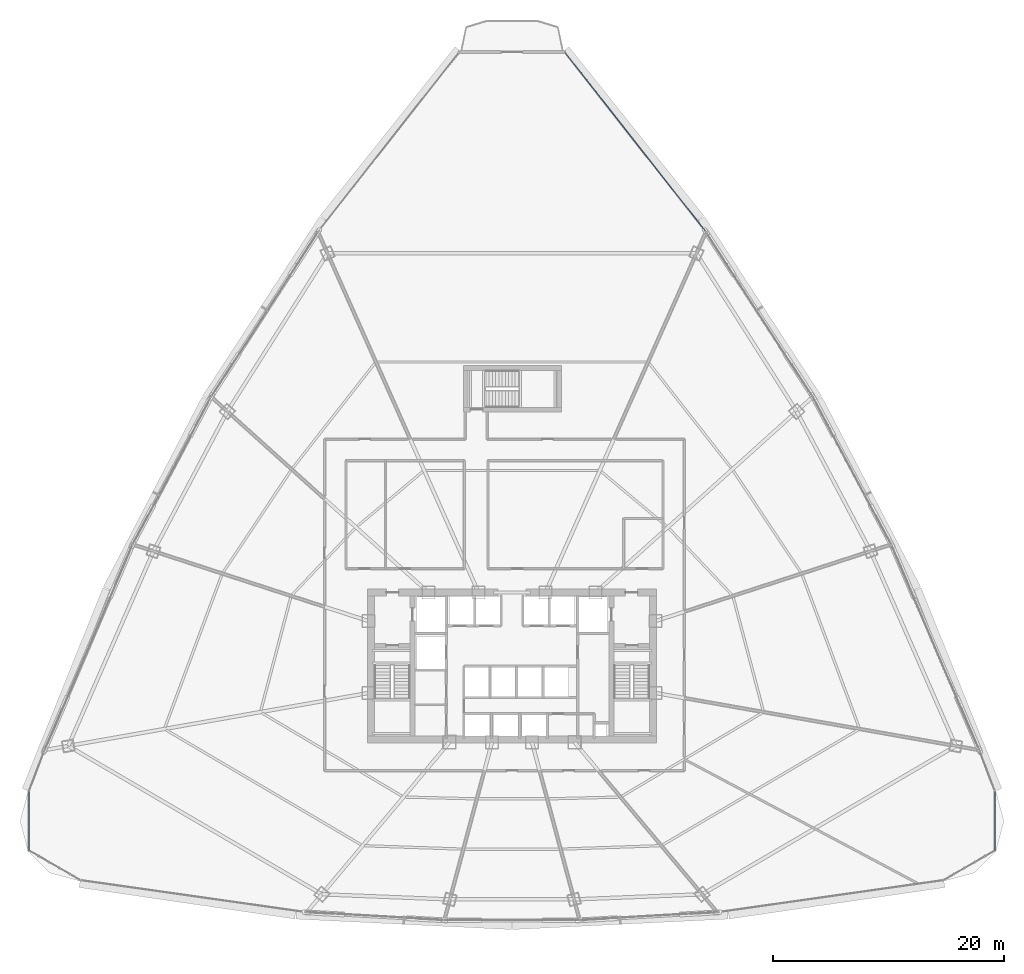
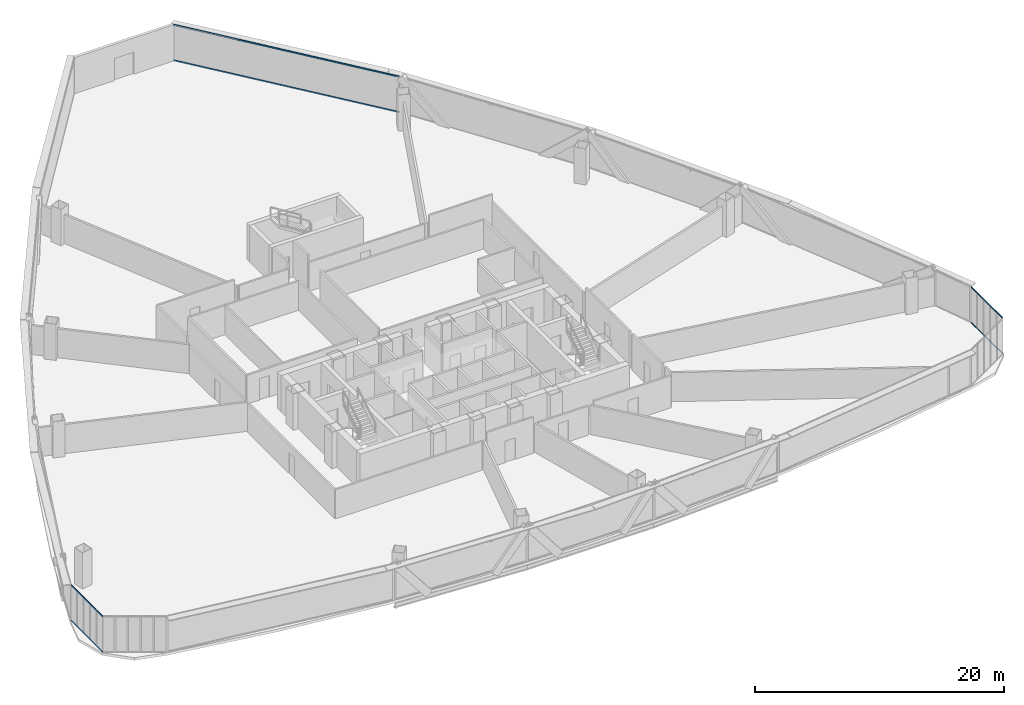
# One storey, part 27 of 39: 22 members, 3 elements without a shape of their own.
"""IFC4 building model written with IfcOpenShell, lengths in metres."""

from ifc_helpers import new_model, si_unit, direction, frame, origin, origin_2d, place, context, subcontext, project, spatial, hollow_rectangle, extrude, source, transform, mapped, material, layer, layer_set, material_profile, profile_set, type_object, element, aggregate, save


model = new_model("IFC4")

# Units and contexts
model_context = context("Model", 3, precision=1e-05, world=origin(), true_north=direction((0.0, 1.0)))
body_context = subcontext(model_context, "Body", "Model", "MODEL_VIEW")
ifc_project = project(units=[si_unit("LENGTHUNIT", "METRE"), si_unit("AREAUNIT", "SQUARE_METRE"), si_unit("VOLUMEUNIT", "CUBIC_METRE"), si_unit("PLANEANGLEUNIT", "RADIAN"), si_unit("MASSUNIT", "GRAM", prefix="KILO"), si_unit("THERMODYNAMICTEMPERATUREUNIT", "KELVIN"), si_unit("POWERUNIT", "WATT")], contexts=[model_context])

# Site, building, storey
site_placement = place(None, origin())
site = spatial("IfcSite", under=ifc_project, at=site_placement, CompositionType="ELEMENT")
building_placement = place(site_placement, origin())
building = spatial("IfcBuilding", under=site, at=building_placement, Name="Yunzhuo Pagoda Commons", CompositionType="ELEMENT")
storey_placement = place(building_placement, frame((0.0, 0.0, 92.580078125)))
storey = spatial("IfcBuildingStorey", under=building, at=storey_placement, Name="L23", CompositionType="ELEMENT", Elevation=92.580078125)

# Curtain wall, members
ifc_material = material(Name="Anodized aluminium 6063-T6", Category="aluminium")
ifc_layer_1 = layer(ifc_material, 0.1650390625)
ifc_layer_set_1 = layer_set([ifc_layer_1], Name="Anodized aluminium 6063-T6")
curtain_wall_type_1 = type_object("IfcCurtainWallType", Name="CW-LOW Low-Zone Ribbon Curtain Wall", PredefinedType="NOTDEFINED", material=ifc_layer_set_1)
curtain_wall_1_placement = place(storey_placement, origin())
curtain_wall_1 = element("IfcCurtainWall", 1, at=curtain_wall_1_placement, inside=storey, type_object=curtain_wall_type_1, Name="L23 curtain wall CW-L23-F2B5", PredefinedType="NOTDEFINED")
ifc_material_profile_1 = material_profile(ifc_material, hollow_rectangle(XDim=0.06005859375, YDim=0.139892578125, WallThickness=0.00341796875, at=origin_2d()), Name="Anodized aluminium 6063-T6")
ifc_profile_set_1 = profile_set([ifc_material_profile_1], Name="Anodized aluminium 6063-T6")
member_type_1 = type_object("IfcMemberType", Name="CW-LOW-T Transom RHS 140x60x3.5", PredefinedType="USERDEFINED", material=ifc_profile_set_1)
shared_shape_1 = source(origin(), body_context, "Body", "SweptSolid", [
    extrude(hollow_rectangle(XDim=0.06005859375, YDim=0.139892578125, WallThickness=0.00341796875, at=origin_2d()), origin(), (0.0, 0.0, 1.0), 19.558349609375),
])
member_1_placement = place(storey_placement, frame((64.683837890625, 71.476806640625, 0.030029296875), z_axis=(-0.617957159447, 0.786211771146, 0.0), x_axis=(-0.786211771146, -0.617957159447, 0.0)))
member_1 = element("IfcMember", 2, at=member_1_placement, type_object=member_type_1, Name="CW transom 1.1", ObjectType="TRANSOM", PredefinedType="USERDEFINED", context=body_context, shape_type="MappedRepresentation", body=[
    mapped(shared_shape_1, transform((0.0, 0.0, 0.0), scale=1.0)),
])
member_2_placement = place(storey_placement, frame((64.683837890625, 71.476806640625, 3.510009765625), z_axis=(-0.617957159447, 0.786211771146, 0.0), x_axis=(-0.786211771146, -0.617957159447, 0.0)))
member_2 = element("IfcMember", 3, at=member_2_placement, type_object=member_type_1, Name="CW transom 1.2", ObjectType="TRANSOM", PredefinedType="USERDEFINED", context=body_context, shape_type="MappedRepresentation", body=[
    mapped(shared_shape_1, transform((0.0, 0.0, 0.0), scale=1.0)),
])
aggregate(curtain_wall_1, [member_1, member_2])

ifc_layer_2 = layer(ifc_material, 0.1298828125)
ifc_layer_set_2 = layer_set([ifc_layer_2], Name="Anodized aluminium 6063-T6")
curtain_wall_type_2 = type_object("IfcCurtainWallType", Name="CW-VTX Rounded Corner Curtain Wall", PredefinedType="NOTDEFINED", material=ifc_layer_set_2)
curtain_wall_2_placement = place(storey_placement, origin())
curtain_wall_2 = element("IfcCurtainWall", 4, at=curtain_wall_2_placement, inside=storey, type_object=curtain_wall_type_2, Name="L23 curtain wall CW-L23-VTX1S1", PredefinedType="NOTDEFINED")
ifc_material_profile_2 = material_profile(ifc_material, hollow_rectangle(XDim=0.054931640625, YDim=0.1201171875, WallThickness=0.00341796875, at=origin_2d()), Name="Anodized aluminium 6063-T6")
ifc_profile_set_2 = profile_set([ifc_material_profile_2], Name="Anodized aluminium 6063-T6")
member_type_2 = type_object("IfcMemberType", Name="CW-VTX-T Transom RHS 120x55x3.5", PredefinedType="USERDEFINED", material=ifc_profile_set_2)
shared_shape_2 = source(origin(), body_context, "Body", "SweptSolid", [
    extrude(hollow_rectangle(XDim=0.054931640625, YDim=0.1201171875, WallThickness=0.00341796875, at=origin_2d()), origin(), (0.0, 0.0, 1.0), 0.953125),
])
member_3_placement = place(storey_placement, frame((6.257080078125, 22.977294921875, 0.02734375), z_axis=(-0.003586042516, -0.999993570129, 0.0), x_axis=(0.999993570129, -0.003586042516, 0.0)))
member_3 = element("IfcMember", 5, at=member_3_placement, type_object=member_type_2, Name="CW transom 1.1", ObjectType="TRANSOM", PredefinedType="USERDEFINED", context=body_context, shape_type="MappedRepresentation", body=[
    mapped(shared_shape_2, transform((0.0, 0.0, 0.0), scale=1.0)),
])
member_4_placement = place(storey_placement, frame((6.257080078125, 22.977294921875, 3.512451171875), z_axis=(-0.003586042516, -0.999993570129, 0.0), x_axis=(0.999993570129, -0.003586042516, 0.0)))
member_4 = element("IfcMember", 6, at=member_4_placement, type_object=member_type_2, Name="CW transom 1.2", ObjectType="TRANSOM", PredefinedType="USERDEFINED", context=body_context, shape_type="MappedRepresentation", body=[
    mapped(shared_shape_2, transform((0.0, 0.0, 0.0), scale=1.0)),
])

curtain_wall_3_placement = place(storey_placement, origin())
curtain_wall_3 = element("IfcCurtainWall", 7, at=curtain_wall_3_placement, inside=storey, type_object=curtain_wall_type_2, Name="L23 curtain wall CW-L23-VTX2S2", PredefinedType="NOTDEFINED")
member_5_placement = place(storey_placement, frame((89.746337890625, 22.024169921875, 0.02734375), z_axis=(-0.003586042516, 0.999993570129, 0.0), x_axis=(-0.999993570129, -0.003586042516, 0.0)))
member_5 = element("IfcMember", 8, at=member_5_placement, type_object=member_type_2, Name="CW transom 5.1", ObjectType="TRANSOM", PredefinedType="USERDEFINED", context=body_context, shape_type="MappedRepresentation", body=[
    mapped(shared_shape_2, transform((0.0, 0.0, 0.0), scale=1.0)),
])
member_6_placement = place(storey_placement, frame((89.746337890625, 22.024169921875, 3.512451171875), z_axis=(-0.003586042516, 0.999993570129, 0.0), x_axis=(-0.999993570129, -0.003586042516, 0.0)))
member_6 = element("IfcMember", 9, at=member_6_placement, type_object=member_type_2, Name="CW transom 5.2", ObjectType="TRANSOM", PredefinedType="USERDEFINED", context=body_context, shape_type="MappedRepresentation", body=[
    mapped(shared_shape_2, transform((0.0, 0.0, 0.0), scale=1.0)),
])

# Member
shared_shape_3 = source(origin(), body_context, "Body", "SweptSolid", [
    extrude(hollow_rectangle(XDim=0.054931640625, YDim=0.1201171875, WallThickness=0.00341796875, at=origin_2d()), origin(), (0.0, 0.0, 1.0), 0.980224609375),
])
member_7_placement = place(storey_placement, frame((6.25341796875, 21.96923828125, 0.02734375), z_axis=(-0.003486902837, -0.999993920736, 0.0), x_axis=(0.999993920736, -0.003486902837, 0.0)))
member_7 = element("IfcMember", 10, at=member_7_placement, type_object=member_type_2, Name="CW transom 2.1", ObjectType="TRANSOM", PredefinedType="USERDEFINED", context=body_context, shape_type="MappedRepresentation", body=[
    mapped(shared_shape_3, transform((0.0, 0.0, 0.0), scale=1.0)),
])

member_8_placement = place(storey_placement, frame((6.25341796875, 21.96923828125, 3.512451171875), z_axis=(-0.003486902837, -0.999993920736, 0.0), x_axis=(0.999993920736, -0.003486902837, 0.0)))
member_8 = element("IfcMember", 11, at=member_8_placement, type_object=member_type_2, Name="CW transom 2.2", ObjectType="TRANSOM", PredefinedType="USERDEFINED", context=body_context, shape_type="MappedRepresentation", body=[
    mapped(shared_shape_3, transform((0.0, 0.0, 0.0), scale=1.0)),
])

member_9_placement = place(storey_placement, frame((89.75, 20.989013671875, 0.02734375), z_axis=(-0.003486902837, 0.999993920736, 0.0), x_axis=(-0.999993920736, -0.003486902837, 0.0)))
member_9 = element("IfcMember", 12, at=member_9_placement, type_object=member_type_2, Name="CW transom 4.1", ObjectType="TRANSOM", PredefinedType="USERDEFINED", context=body_context, shape_type="MappedRepresentation", body=[
    mapped(shared_shape_3, transform((0.0, 0.0, 0.0), scale=1.0)),
])

member_10_placement = place(storey_placement, frame((89.75, 20.989013671875, 3.512451171875), z_axis=(-0.003486902837, 0.999993920736, 0.0), x_axis=(-0.999993920736, -0.003486902837, 0.0)))
member_10 = element("IfcMember", 13, at=member_10_placement, type_object=member_type_2, Name="CW transom 4.2", ObjectType="TRANSOM", PredefinedType="USERDEFINED", context=body_context, shape_type="MappedRepresentation", body=[
    mapped(shared_shape_3, transform((0.0, 0.0, 0.0), scale=1.0)),
])

shared_shape_4 = source(origin(), body_context, "Body", "SweptSolid", [
    extrude(hollow_rectangle(XDim=0.054931640625, YDim=0.1201171875, WallThickness=0.00341796875, at=origin_2d()), origin(), (0.0, 0.0, 1.0), 0.980712890625),
])
member_11_placement = place(storey_placement, frame((6.249755859375, 20.933837890625, 0.02734375), z_axis=(-0.003485166785, -0.999993926788, 0.0), x_axis=(0.999993926788, -0.003485166785, 0.0)))
member_11 = element("IfcMember", 14, at=member_11_placement, type_object=member_type_2, Name="CW transom 3.1", ObjectType="TRANSOM", PredefinedType="USERDEFINED", context=body_context, shape_type="MappedRepresentation", body=[
    mapped(shared_shape_4, transform((0.0, 0.0, 0.0), scale=1.0)),
])

member_12_placement = place(storey_placement, frame((6.249755859375, 20.933837890625, 3.512451171875), z_axis=(-0.003485166785, -0.999993926788, 0.0), x_axis=(0.999993926788, -0.003485166785, 0.0)))
member_12 = element("IfcMember", 15, at=member_12_placement, type_object=member_type_2, Name="CW transom 3.2", ObjectType="TRANSOM", PredefinedType="USERDEFINED", context=body_context, shape_type="MappedRepresentation", body=[
    mapped(shared_shape_4, transform((0.0, 0.0, 0.0), scale=1.0)),
])

member_13_placement = place(storey_placement, frame((89.753662109375, 19.953125, 0.02734375), z_axis=(-0.003485166785, 0.999993926788, 0.0), x_axis=(-0.999993926788, -0.003485166785, 0.0)))
member_13 = element("IfcMember", 16, at=member_13_placement, type_object=member_type_2, Name="CW transom 3.1", ObjectType="TRANSOM", PredefinedType="USERDEFINED", context=body_context, shape_type="MappedRepresentation", body=[
    mapped(shared_shape_4, transform((0.0, 0.0, 0.0), scale=1.0)),
])

member_14_placement = place(storey_placement, frame((89.753662109375, 19.953125, 3.512451171875), z_axis=(-0.003485166785, 0.999993926788, 0.0), x_axis=(-0.999993926788, -0.003485166785, 0.0)))
member_14 = element("IfcMember", 17, at=member_14_placement, type_object=member_type_2, Name="CW transom 3.2", ObjectType="TRANSOM", PredefinedType="USERDEFINED", context=body_context, shape_type="MappedRepresentation", body=[
    mapped(shared_shape_4, transform((0.0, 0.0, 0.0), scale=1.0)),
])

shared_shape_5 = source(origin(), body_context, "Body", "SweptSolid", [
    extrude(hollow_rectangle(XDim=0.054931640625, YDim=0.1201171875, WallThickness=0.00341796875, at=origin_2d()), origin(), (0.0, 0.0, 1.0), 0.98046875),
])
member_15_placement = place(storey_placement, frame((6.24609375, 19.898193359375, 0.02734375), z_axis=(-0.003486034595, -0.999993923763, 0.0), x_axis=(0.999993923763, -0.003486034595, 0.0)))
member_15 = element("IfcMember", 18, at=member_15_placement, type_object=member_type_2, Name="CW transom 4.1", ObjectType="TRANSOM", PredefinedType="USERDEFINED", context=body_context, shape_type="MappedRepresentation", body=[
    mapped(shared_shape_5, transform((0.0, 0.0, 0.0), scale=1.0)),
])

member_16_placement = place(storey_placement, frame((6.24609375, 19.898193359375, 3.512451171875), z_axis=(-0.003486034595, -0.999993923763, 0.0), x_axis=(0.999993923763, -0.003486034595, 0.0)))
member_16 = element("IfcMember", 19, at=member_16_placement, type_object=member_type_2, Name="CW transom 4.2", ObjectType="TRANSOM", PredefinedType="USERDEFINED", context=body_context, shape_type="MappedRepresentation", body=[
    mapped(shared_shape_5, transform((0.0, 0.0, 0.0), scale=1.0)),
])

member_17_placement = place(storey_placement, frame((89.75732421875, 18.917724609375, 0.02734375), z_axis=(-0.003486034595, 0.999993923763, 0.0), x_axis=(-0.999993923763, -0.003486034595, 0.0)))
member_17 = element("IfcMember", 20, at=member_17_placement, type_object=member_type_2, Name="CW transom 2.1", ObjectType="TRANSOM", PredefinedType="USERDEFINED", context=body_context, shape_type="MappedRepresentation", body=[
    mapped(shared_shape_5, transform((0.0, 0.0, 0.0), scale=1.0)),
])

member_18_placement = place(storey_placement, frame((89.75732421875, 18.917724609375, 3.512451171875), z_axis=(-0.003486034595, 0.999993923763, 0.0), x_axis=(-0.999993923763, -0.003486034595, 0.0)))
member_18 = element("IfcMember", 21, at=member_18_placement, type_object=member_type_2, Name="CW transom 2.2", ObjectType="TRANSOM", PredefinedType="USERDEFINED", context=body_context, shape_type="MappedRepresentation", body=[
    mapped(shared_shape_5, transform((0.0, 0.0, 0.0), scale=1.0)),
])

shared_shape_6 = source(origin(), body_context, "Body", "SweptSolid", [
    extrude(hollow_rectangle(XDim=0.054931640625, YDim=0.1201171875, WallThickness=0.00341796875, at=origin_2d()), origin(), (0.0, 0.0, 1.0), 0.952880859375),
])
member_19_placement = place(storey_placement, frame((6.242431640625, 18.862548828125, 0.02734375), z_axis=(-0.003586961295, -0.999993566834, 0.0), x_axis=(0.999993566834, -0.003586961295, 0.0)))
member_19 = element("IfcMember", 22, at=member_19_placement, type_object=member_type_2, Name="CW transom 5.1", ObjectType="TRANSOM", PredefinedType="USERDEFINED", context=body_context, shape_type="MappedRepresentation", body=[
    mapped(shared_shape_6, transform((0.0, 0.0, 0.0), scale=1.0)),
])

member_20_placement = place(storey_placement, frame((6.242431640625, 18.862548828125, 3.512451171875), z_axis=(-0.003586961295, -0.999993566834, 0.0), x_axis=(0.999993566834, -0.003586961295, 0.0)))
member_20 = element("IfcMember", 23, at=member_20_placement, type_object=member_type_2, Name="CW transom 5.2", ObjectType="TRANSOM", PredefinedType="USERDEFINED", context=body_context, shape_type="MappedRepresentation", body=[
    mapped(shared_shape_6, transform((0.0, 0.0, 0.0), scale=1.0)),
])

aggregate(curtain_wall_2, [member_3, member_4, member_7, member_8, member_11, member_12, member_15, member_16, member_19, member_20])

member_21_placement = place(storey_placement, frame((89.760986328125, 17.90966796875, 0.02734375), z_axis=(-0.003586961295, 0.999993566834, 0.0), x_axis=(-0.999993566834, -0.003586961295, 0.0)))
member_21 = element("IfcMember", 24, at=member_21_placement, type_object=member_type_2, Name="CW transom 1.1", ObjectType="TRANSOM", PredefinedType="USERDEFINED", context=body_context, shape_type="MappedRepresentation", body=[
    mapped(shared_shape_6, transform((0.0, 0.0, 0.0), scale=1.0)),
])

member_22_placement = place(storey_placement, frame((89.760986328125, 17.90966796875, 3.512451171875), z_axis=(-0.003586961295, 0.999993566834, 0.0), x_axis=(-0.999993566834, -0.003586961295, 0.0)))
member_22 = element("IfcMember", 25, at=member_22_placement, type_object=member_type_2, Name="CW transom 1.2", ObjectType="TRANSOM", PredefinedType="USERDEFINED", context=body_context, shape_type="MappedRepresentation", body=[
    mapped(shared_shape_6, transform((0.0, 0.0, 0.0), scale=1.0)),
])

aggregate(curtain_wall_3, [member_21, member_22, member_17, member_18, member_13, member_14, member_9, member_10, member_5, member_6])

save(model, "model.ifc")
